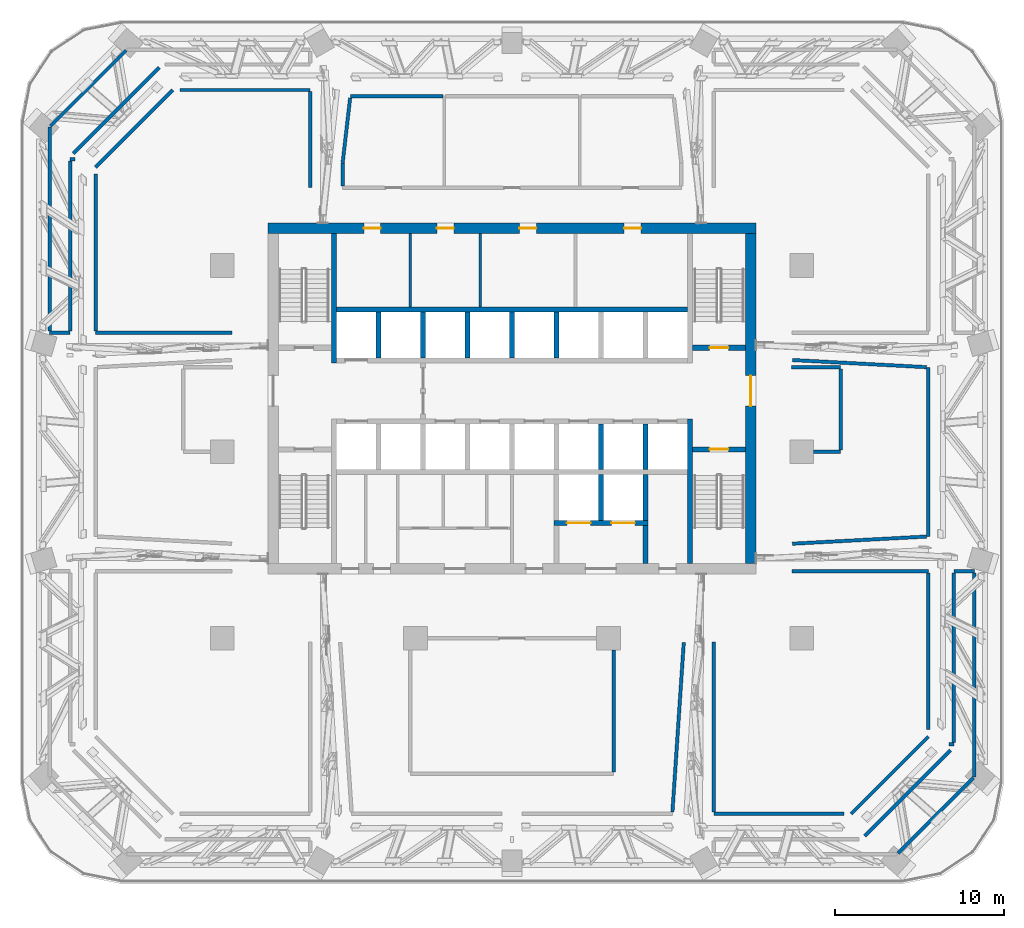
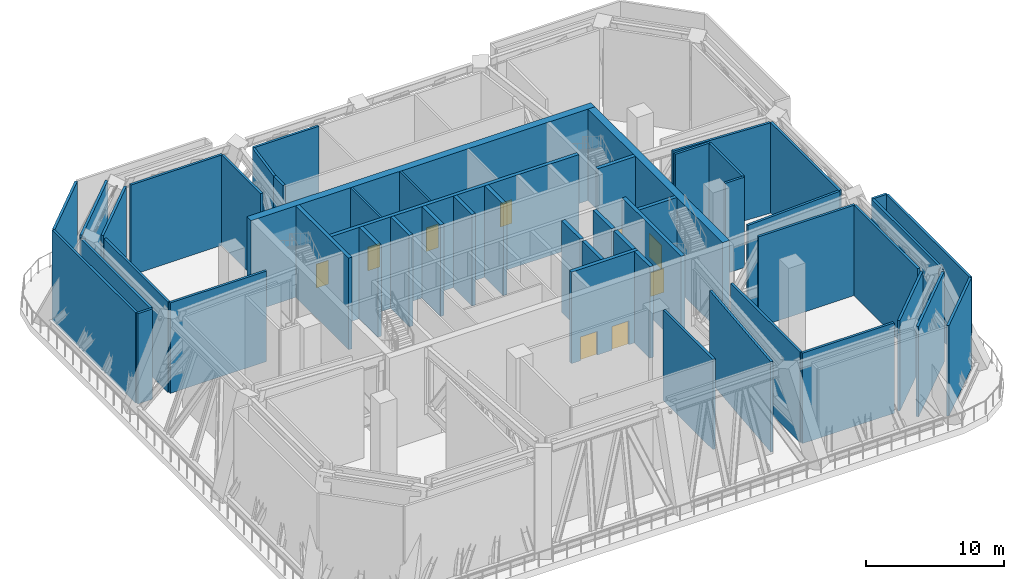
# One storey, part 7 of 24: 53 walls, 9 doors, 9 openings.
"""IFC4 building model written with IfcOpenShell, lengths in metres."""

from ifc_helpers import new_model, si_unit, direction, frame, frame_2d, origin, place, context, subcontext, project, spatial, rectangle, extrude, material, layer, layer_set, type_object, element, fill, save


model = new_model("IFC4")

# Units and contexts
model_context = context("Model", 3, precision=1e-05, world=origin(), true_north=direction((0.0, 1.0)))
body_context = subcontext(model_context, "Body", "Model", "MODEL_VIEW")
ifc_project = project(units=[si_unit("LENGTHUNIT", "METRE"), si_unit("AREAUNIT", "SQUARE_METRE"), si_unit("VOLUMEUNIT", "CUBIC_METRE"), si_unit("PLANEANGLEUNIT", "RADIAN"), si_unit("MASSUNIT", "GRAM", prefix="KILO")], contexts=[model_context])

# Site, building, storey
site_placement = place(None, origin())
site = spatial("IfcSite", under=ifc_project, at=site_placement, CompositionType="ELEMENT")
building_placement = place(site_placement, origin())
building = spatial("IfcBuilding", under=site, at=building_placement, Name="Mopane Tessera Tower", CompositionType="ELEMENT")
storey_placement = place(building_placement, frame((0.0, 0.0, 148.60009765625)))
storey = spatial("IfcBuildingStorey", under=building, at=storey_placement, Name="L30", CompositionType="ELEMENT", Elevation=148.60009765625)

# Walls
ifc_material_1 = material(Name="Fire-rated gypsum board partition")
ifc_layer_1 = layer(ifc_material_1, 0.14990234375)
ifc_layer_set_1 = layer_set([ifc_layer_1], Name="Fire-rated gypsum board partition")
wall_type_1 = type_object("IfcWallType", Name="Core room partition 150 mm", PredefinedType="PARTITIONING", material=ifc_layer_set_1)
for number, where, z_axis, x_axis, name in (
    (1, (-6.0, 8.550048828125, 0.0), (0.0, 0.0, 1.0), (0.0, 1.0, 0.0), "L30 Room partition"),
    (2, (-1.875, 8.550048828125, 0.0), (0.0, 0.0, 1.0), (0.0, 1.0, 0.0), "L30 Room partition"),
):
    element("IfcWall", number, at=place(storey_placement, frame(where, z_axis=z_axis, x_axis=x_axis)), inside=storey, type_object=wall_type_1, Name=name, PredefinedType="PARTITIONING", context=body_context, shape_type="SweptSolid", body=[
        extrude(rectangle(XDim=4.349853515625, YDim=0.14990234375, at=frame_2d((2.1748046875, 0.0))), origin(), (0.0, 0.0, 1.0), 8.099853515625),
    ])

# Wall, openings, doors
ifc_material_2 = material(Name="Concrete C70/85", Category="concrete")
ifc_layer_2 = layer(ifc_material_2, 0.60009765625)
ifc_layer_set_2 = layer_set([ifc_layer_2], Name="Concrete C70/85")
wall_type_2 = type_object("IfcWallType", Name="Core shear wall 600 mm", PredefinedType="SHEAR", material=ifc_layer_set_2)
wall_1_placement = place(storey_placement, frame((-14.39990234375, 13.199951171875, 0.0), z_axis=(0.0, 0.0, 1.0), x_axis=(1.0, 0.0, 0.0)))
wall_1 = element("IfcWall", 3, at=wall_1_placement, inside=storey, type_object=wall_type_2, Name="L30 Core wall north", PredefinedType="SHEAR", context=body_context, shape_type="SweptSolid", body=[
    extrude(rectangle(XDim=28.7998046875, YDim=0.60009765625, at=frame_2d((14.39990234375, 0.0))), origin(), (0.0, 0.0, 1.0), 8.099853515625),
])
opening_1_placement = place(wall_1_placement, frame((5.64990234375, 0.0, 0.0)))
opening_1 = element("IfcOpeningElement", 4, at=opening_1_placement, cuts=wall_1, Name="Opening RD1", PredefinedType="OPENING", context=body_context, shape_type="SweptSolid", body=[
    extrude(rectangle(XDim=1.0, YDim=2.10009765625, at=frame_2d((0.5, 1.050048828125))), frame((0.0, 0.31201171875, 0.0), z_axis=(0.0, -1.0, 0.0), x_axis=(1.0, 0.0, 0.0)), (0.0, 0.0, 1.0), 0.6240234375),
])
opening_2_placement = place(wall_1_placement, frame((9.96240234375, 0.0, 0.0)))
opening_2 = element("IfcOpeningElement", 5, at=opening_2_placement, cuts=wall_1, Name="Opening RD1", PredefinedType="OPENING", context=body_context, shape_type="SweptSolid", body=[
    extrude(rectangle(XDim=1.0, YDim=2.10009765625, at=frame_2d((0.5, 1.050048828125))), frame((0.0, 0.31201171875, 0.0), z_axis=(0.0, -1.0, 0.0), x_axis=(1.0, 0.0, 0.0)), (0.0, 0.0, 1.0), 0.6240234375),
])
opening_3_placement = place(wall_1_placement, frame((14.83740234375, 0.0, 0.0)))
opening_3 = element("IfcOpeningElement", 6, at=opening_3_placement, cuts=wall_1, Name="Opening RD1", PredefinedType="OPENING", context=body_context, shape_type="SweptSolid", body=[
    extrude(rectangle(XDim=1.0, YDim=2.10009765625, at=frame_2d((0.5, 1.050048828125))), frame((0.0, 0.31201171875, 0.0), z_axis=(0.0, -1.0, 0.0), x_axis=(1.0, 0.0, 0.0)), (0.0, 0.0, 1.0), 0.6240234375),
])
opening_4_placement = place(wall_1_placement, frame((21.02490234375, 0.0, 0.0)))
opening_4 = element("IfcOpeningElement", 7, at=opening_4_placement, cuts=wall_1, Name="Opening RD1", PredefinedType="OPENING", context=body_context, shape_type="SweptSolid", body=[
    extrude(rectangle(XDim=1.0, YDim=2.10009765625, at=frame_2d((0.5, 1.050048828125))), frame((0.0, 0.31201171875, 0.0), z_axis=(0.0, -1.0, 0.0), x_axis=(1.0, 0.0, 0.0)), (0.0, 0.0, 1.0), 0.6240234375),
])
ifc_material_3 = material(Name="Timber door", Category="wood")
door_type_1 = type_object("IfcDoorType", Name="Core room door 1000 x 2100", OperationType="SINGLE_SWING_LEFT", PredefinedType="DOOR", material=ifc_material_3)
door_1_placement = place(opening_1_placement, origin())
door_1 = element("IfcDoor", 8, at=door_1_placement, inside=storey, type_object=door_type_1, Name="L30 Room door", OperationType="SINGLE_SWING_LEFT", OverallHeight=2.10009765625, OverallWidth=1.0, PredefinedType="DOOR", context=body_context, shape_type="SweptSolid", body=[
    extrude(rectangle(XDim=1.0, YDim=2.10009765625, at=frame_2d((0.5, 1.050048828125))), frame((0.0, 0.02490234375, 0.0), z_axis=(0.0, -1.0, 0.0), x_axis=(1.0, 0.0, 0.0)), (0.0, 0.0, 1.0), 0.050048828125),
])
fill(opening_1, door_1)
door_2_placement = place(opening_2_placement, origin())
door_2 = element("IfcDoor", 9, at=door_2_placement, inside=storey, type_object=door_type_1, Name="L30 Room door", OperationType="SINGLE_SWING_LEFT", OverallHeight=2.10009765625, OverallWidth=1.0, PredefinedType="DOOR", context=body_context, shape_type="SweptSolid", body=[
    extrude(rectangle(XDim=1.0, YDim=2.10009765625, at=frame_2d((0.5, 1.050048828125))), frame((0.0, 0.02490234375, 0.0), z_axis=(0.0, -1.0, 0.0), x_axis=(1.0, 0.0, 0.0)), (0.0, 0.0, 1.0), 0.050048828125),
])
fill(opening_2, door_2)
door_3_placement = place(opening_3_placement, origin())
door_3 = element("IfcDoor", 10, at=door_3_placement, inside=storey, type_object=door_type_1, Name="L30 Room door", OperationType="SINGLE_SWING_LEFT", OverallHeight=2.10009765625, OverallWidth=1.0, PredefinedType="DOOR", context=body_context, shape_type="SweptSolid", body=[
    extrude(rectangle(XDim=1.0, YDim=2.10009765625, at=frame_2d((0.5, 1.050048828125))), frame((0.0, 0.02490234375, 0.0), z_axis=(0.0, -1.0, 0.0), x_axis=(1.0, 0.0, 0.0)), (0.0, 0.0, 1.0), 0.050048828125),
])
fill(opening_3, door_3)
door_4_placement = place(opening_4_placement, origin())
door_4 = element("IfcDoor", 11, at=door_4_placement, inside=storey, type_object=door_type_1, Name="L30 Room door", OperationType="SINGLE_SWING_LEFT", OverallHeight=2.10009765625, OverallWidth=1.0, PredefinedType="DOOR", context=body_context, shape_type="SweptSolid", body=[
    extrude(rectangle(XDim=1.0, YDim=2.10009765625, at=frame_2d((0.5, 1.050048828125))), frame((0.0, 0.02490234375, 0.0), z_axis=(0.0, -1.0, 0.0), x_axis=(1.0, 0.0, 0.0)), (0.0, 0.0, 1.0), 0.050048828125),
])
fill(opening_4, door_4)

# Wall, opening, door
wall_2_placement = place(storey_placement, frame((14.10009765625, -6.60009765625, 0.0), z_axis=(0.0, 0.0, 1.0), x_axis=(0.0, 1.0, 0.0)))
wall_2 = element("IfcWall", 12, at=wall_2_placement, inside=storey, type_object=wall_type_2, Name="L30 Core wall east", PredefinedType="SHEAR", context=body_context, shape_type="SweptSolid", body=[
    extrude(rectangle(XDim=19.5, YDim=0.60009765625, at=frame_2d((9.75, 0.0))), origin(), (0.0, 0.0, 1.0), 8.099853515625),
])
opening_5_placement = place(wall_2_placement, frame((9.300048828125, 0.0, 0.0)))
opening_5 = element("IfcOpeningElement", 13, at=opening_5_placement, cuts=wall_2, Name="Opening SD2", PredefinedType="OPENING", context=body_context, shape_type="SweptSolid", body=[
    extrude(rectangle(XDim=1.800048828125, YDim=2.10009765625, at=frame_2d((0.89990234375, 1.050048828125))), frame((0.0, 0.31201171875, 0.0), z_axis=(0.0, -1.0, 0.0), x_axis=(1.0, 0.0, 0.0)), (0.0, 0.0, 1.0), 0.6240234375),
])
ifc_material_4 = material(Name="Steel fire door", Category="steel")
door_type_2 = type_object("IfcDoorType", Name="Core entrance double door 1800 x 2100", OperationType="DOUBLE_DOOR_SINGLE_SWING", PredefinedType="DOOR", material=ifc_material_4)
door_5_placement = place(opening_5_placement, origin())
door_5 = element("IfcDoor", 14, at=door_5_placement, inside=storey, type_object=door_type_2, Name="L30 Core entrance door east", OperationType="DOUBLE_DOOR_SINGLE_SWING", OverallHeight=2.10009765625, OverallWidth=1.800048828125, PredefinedType="DOOR", context=body_context, shape_type="SweptSolid", body=[
    extrude(rectangle(XDim=1.800048828125, YDim=2.10009765625, at=frame_2d((0.89990234375, 1.050048828125))), frame((0.0, 0.02490234375, 0.0), z_axis=(0.0, -1.0, 0.0), x_axis=(1.0, 0.0, 0.0)), (0.0, 0.0, 1.0), 0.050048828125),
])
fill(opening_5, door_5)

# Walls
ifc_material_5 = material(Name="Concrete C60/75", Category="concrete")
ifc_layer_3 = layer(ifc_material_5, 0.300048828125)
ifc_layer_set_3 = layer_set([ifc_layer_3], Name="Concrete C60/75")
wall_type_3 = type_object("IfcWallType", Name="Core spine wall 300 mm", PredefinedType="SHEAR", material=ifc_layer_set_3)
wall_3_placement = place(storey_placement, frame((-10.5, 5.25, 0.0), z_axis=(0.0, 0.0, 1.0), x_axis=(0.0, 1.0, 0.0)))
element("IfcWall", 15, at=wall_3_placement, inside=storey, type_object=wall_type_3, Name="L30 Core spine wall", PredefinedType="SHEAR", context=body_context, shape_type="SweptSolid", body=[
    extrude(rectangle(XDim=7.64990234375, YDim=0.300048828125, at=frame_2d((3.824951171875, 0.0))), origin(), (0.0, 0.0, 1.0), 8.099853515625),
])
wall_4_placement = place(storey_placement, frame((10.5, -6.60009765625, 0.0), z_axis=(0.0, 0.0, 1.0), x_axis=(0.0, 1.0, 0.0)))
element("IfcWall", 16, at=wall_4_placement, inside=storey, type_object=wall_type_3, Name="L30 Core spine wall", PredefinedType="SHEAR", context=body_context, shape_type="SweptSolid", body=[
    extrude(rectangle(XDim=8.550048828125, YDim=0.300048828125, at=frame_2d((4.27490234375, 0.0))), origin(), (0.0, 0.0, 1.0), 8.099853515625),
])
ifc_material_6 = material(Name="Gypsum board on steel studs, two layers each face, mineral wool infill", Category="steel")
ifc_layer_4 = layer(ifc_material_6, 0.199951171875)
ifc_layer_set_4 = layer_set([ifc_layer_4], Name="Gypsum board on steel studs, two layers each face, mineral wool infill")
wall_type_4 = type_object("IfcWallType", Name="Gypsum board corridor wall 200, rated EI 60", PredefinedType="PARTITIONING", material=ifc_layer_set_4)
wall_5_placement = place(storey_placement, frame((11.919921875, -21.3701171875, 0.0), z_axis=(0.0, 0.0, 1.0), x_axis=(1.0, 0.0, 0.0)))
element("IfcWall", 17, at=wall_5_placement, inside=storey, type_object=wall_type_4, Name="Partition L30:007", PredefinedType="PARTITIONING", context=body_context, shape_type="SweptSolid", body=[
    extrude(rectangle(XDim=7.68017578125, YDim=0.199951171875, at=frame_2d((3.840087890625, 0.0))), origin(), (0.0, 0.0, 1.0), 8.0),
])
wall_6_placement = place(storey_placement, frame((25.800048828125, -17.27001953125, 0.0), z_axis=(0.0, 0.0, 1.0), x_axis=(1.0, 0.0, 0.0)))
element("IfcWall", 18, at=wall_6_placement, inside=storey, type_object=wall_type_4, Name="Partition L30:010", PredefinedType="PARTITIONING", context=body_context, shape_type="SweptSolid", body=[
    extrude(rectangle(XDim=0.284912109375, YDim=0.199951171875, at=frame_2d((0.142578125, 0.0))), origin(), (0.0, 0.0, 1.0), 8.0),
])
wall_7_placement = place(storey_placement, frame((16.52001953125, -7.0400390625, 0.0), z_axis=(0.0, 0.0, 1.0), x_axis=(1.0, 0.0, 0.0)))
element("IfcWall", 19, at=wall_7_placement, inside=storey, type_object=wall_type_4, Name="Partition L30:014", PredefinedType="PARTITIONING", context=body_context, shape_type="SweptSolid", body=[
    extrude(rectangle(XDim=8.06494140625, YDim=0.199951171875, at=frame_2d((4.032470703125, 0.0))), origin(), (0.0, 0.0, 1.0), 8.0),
])
wall_8_placement = place(storey_placement, frame((26.0849609375, -7.0400390625, 0.0), z_axis=(0.0, 0.0, 1.0), x_axis=(1.0, 0.0, 0.0)))
element("IfcWall", 20, at=wall_8_placement, inside=storey, type_object=wall_type_4, Name="Partition L30:015", PredefinedType="PARTITIONING", context=body_context, shape_type="SweptSolid", body=[
    extrude(rectangle(XDim=1.215087890625, YDim=0.199951171875, at=frame_2d((0.607421875, 0.0))), origin(), (0.0, 0.0, 1.0), 8.0),
])
wall_9_placement = place(storey_placement, frame((17.800048828125, 0.0, 0.0), z_axis=(0.0, 0.0, 1.0), x_axis=(1.0, 0.0, 0.0)))
element("IfcWall", 21, at=wall_9_placement, inside=storey, type_object=wall_type_4, Name="Partition L30:017", PredefinedType="PARTITIONING", context=body_context, shape_type="SweptSolid", body=[
    extrude(rectangle(XDim=1.599853515625, YDim=0.199951171875, at=frame_2d((0.7998046875, 0.0))), origin(), (0.0, 0.0, 1.0), 8.0),
])
wall_10_placement = place(storey_placement, frame((16.510009765625, 5.0, 0.0), z_axis=(0.0, 0.0, 1.0), x_axis=(1.0, 0.0, 0.0)))
element("IfcWall", 22, at=wall_10_placement, inside=storey, type_object=wall_type_4, Name="Partition L30:019", PredefinedType="PARTITIONING", context=body_context, shape_type="SweptSolid", body=[
    extrude(rectangle(XDim=2.889892578125, YDim=0.199951171875, at=frame_2d((1.44482421875, 0.0))), origin(), (0.0, 0.0, 1.0), 8.0),
])
wall_11_placement = place(storey_placement, frame((-27.300048828125, 7.0400390625, 0.0), z_axis=(0.0, 0.0, 1.0), x_axis=(1.0, 0.0, 0.0)))
element("IfcWall", 23, at=wall_11_placement, inside=storey, type_object=wall_type_4, Name="Partition L30:020", PredefinedType="PARTITIONING", context=body_context, shape_type="SweptSolid", body=[
    extrude(rectangle(XDim=1.215087890625, YDim=0.199951171875, at=frame_2d((0.607421875, 0.0))), origin(), (0.0, 0.0, 1.0), 8.0),
])
wall_12_placement = place(storey_placement, frame((-24.5849609375, 7.0400390625, 0.0), z_axis=(0.0, 0.0, 1.0), x_axis=(1.0, 0.0, 0.0)))
element("IfcWall", 24, at=wall_12_placement, inside=storey, type_object=wall_type_4, Name="Partition L30:021", PredefinedType="PARTITIONING", context=body_context, shape_type="SweptSolid", body=[
    extrude(rectangle(XDim=8.06494140625, YDim=0.199951171875, at=frame_2d((4.032470703125, 0.0))), origin(), (0.0, 0.0, 1.0), 8.0),
])
wall_13_placement = place(storey_placement, frame((-26.0849609375, 17.27001953125, 0.0), z_axis=(0.0, 0.0, 1.0), x_axis=(1.0, 0.0, 0.0)))
element("IfcWall", 25, at=wall_13_placement, inside=storey, type_object=wall_type_4, Name="Partition L30:025", PredefinedType="PARTITIONING", context=body_context, shape_type="SweptSolid", body=[
    extrude(rectangle(XDim=0.284912109375, YDim=0.199951171875, at=frame_2d((0.142578125, 0.0))), origin(), (0.0, 0.0, 1.0), 8.0),
])
wall_14_placement = place(storey_placement, frame((-9.544921875, 21.0, 0.0), z_axis=(0.0, 0.0, 1.0), x_axis=(1.0, 0.0, 0.0)))
element("IfcWall", 26, at=wall_14_placement, inside=storey, type_object=wall_type_4, Name="Partition L30:027", PredefinedType="PARTITIONING", context=body_context, shape_type="SweptSolid", body=[
    extrude(rectangle(XDim=5.469970703125, YDim=0.199951171875, at=frame_2d((2.73486328125, 0.0))), origin(), (0.0, 0.0, 1.0), 8.0),
])
wall_15_placement = place(storey_placement, frame((-19.60009765625, 21.3701171875, 0.0), z_axis=(0.0, 0.0, 1.0), x_axis=(1.0, 0.0, 0.0)))
element("IfcWall", 27, at=wall_15_placement, inside=storey, type_object=wall_type_4, Name="Partition L30:030", PredefinedType="PARTITIONING", context=body_context, shape_type="SweptSolid", body=[
    extrude(rectangle(XDim=7.68017578125, YDim=0.199951171875, at=frame_2d((3.840087890625, 0.0))), origin(), (0.0, 0.0, 1.0), 8.0),
])
wall_16_placement = place(storey_placement, frame((-27.300048828125, 7.139892578125, 0.0), z_axis=(0.0, 0.0, 1.0), x_axis=(0.0, 1.0, 0.0)))
element("IfcWall", 28, at=wall_16_placement, inside=storey, type_object=wall_type_4, Name="Partition L30:037", PredefinedType="PARTITIONING", context=body_context, shape_type="SweptSolid", body=[
    extrude(rectangle(XDim=12.050048828125, YDim=0.199951171875, at=frame_2d((6.02490234375, 0.0))), origin(), (0.0, 0.0, 1.0), 8.0),
])
wall_17_placement = place(storey_placement, frame((-26.0849609375, 7.139892578125, 0.0), z_axis=(0.0, 0.0, 1.0), x_axis=(0.0, 1.0, 0.0)))
element("IfcWall", 29, at=wall_17_placement, inside=storey, type_object=wall_type_4, Name="Partition L30:039", PredefinedType="PARTITIONING", context=body_context, shape_type="SweptSolid", body=[
    extrude(rectangle(XDim=10.030029296875, YDim=0.199951171875, at=frame_2d((5.01513671875, 0.0))), origin(), (0.0, 0.0, 1.0), 8.0),
])
wall_18_placement = place(storey_placement, frame((-24.5849609375, 7.139892578125, 0.0), z_axis=(0.0, 0.0, 1.0), x_axis=(0.0, 1.0, 0.0)))
element("IfcWall", 30, at=wall_18_placement, inside=storey, type_object=wall_type_4, Name="Partition L30:042", PredefinedType="PARTITIONING", context=body_context, shape_type="SweptSolid", body=[
    extrude(rectangle(XDim=9.260009765625, YDim=0.199951171875, at=frame_2d((4.6298828125, 0.0))), origin(), (0.0, 0.0, 1.0), 8.0),
])
wall_19_placement = place(storey_placement, frame((-11.919921875, 15.6201171875, 0.0), z_axis=(0.0, 0.0, 1.0), x_axis=(0.0, 1.0, 0.0)))
element("IfcWall", 31, at=wall_19_placement, inside=storey, type_object=wall_type_4, Name="Partition L30:046", PredefinedType="PARTITIONING", context=body_context, shape_type="SweptSolid", body=[
    extrude(rectangle(XDim=5.64990234375, YDim=0.199951171875, at=frame_2d((2.824951171875, 0.0))), origin(), (0.0, 0.0, 1.0), 8.0),
])
wall_20_placement = place(storey_placement, frame((-10.0, 15.699951171875, 0.0), z_axis=(0.0, 0.0, 1.0), x_axis=(0.0, 1.0, 0.0)))
element("IfcWall", 32, at=wall_20_placement, inside=storey, type_object=wall_type_4, Name="Partition L30:048", PredefinedType="PARTITIONING", context=body_context, shape_type="SweptSolid", body=[
    extrude(rectangle(XDim=1.364990234375, YDim=0.199951171875, at=frame_2d((0.6826171875, 0.0))), origin(), (0.0, 0.0, 1.0), 8.0),
])
wall_21_placement = place(storey_placement, frame((6.0, -18.89990234375, 0.0), z_axis=(0.0, 0.0, 1.0), x_axis=(0.0, 1.0, 0.0)))
element("IfcWall", 33, at=wall_21_placement, inside=storey, type_object=wall_type_4, Name="Partition L30:052", PredefinedType="PARTITIONING", context=body_context, shape_type="SweptSolid", body=[
    extrude(rectangle(XDim=7.199951171875, YDim=0.199951171875, at=frame_2d((3.60009765625, 0.0))), origin(), (0.0, 0.0, 1.0), 8.0),
])
wall_22_placement = place(storey_placement, frame((11.919921875, -21.27001953125, 0.0), z_axis=(0.0, 0.0, 1.0), x_axis=(0.0, 1.0, 0.0)))
element("IfcWall", 34, at=wall_22_placement, inside=storey, type_object=wall_type_4, Name="Partition L30:055", PredefinedType="PARTITIONING", context=body_context, shape_type="SweptSolid", body=[
    extrude(rectangle(XDim=10.050048828125, YDim=0.199951171875, at=frame_2d((5.02490234375, 0.0))), origin(), (0.0, 0.0, 1.0), 8.0),
])
wall_23_placement = place(storey_placement, frame((19.39990234375, 0.10009765625, 0.0), z_axis=(0.0, 0.0, 1.0), x_axis=(0.0, 1.0, 0.0)))
element("IfcWall", 35, at=wall_23_placement, inside=storey, type_object=wall_type_4, Name="Partition L30:058", PredefinedType="PARTITIONING", context=body_context, shape_type="SweptSolid", body=[
    extrude(rectangle(XDim=4.7998046875, YDim=0.199951171875, at=frame_2d((2.39990234375, 0.0))), origin(), (0.0, 0.0, 1.0), 8.0),
])
wall_24_placement = place(storey_placement, frame((24.5849609375, -16.39990234375, 0.0), z_axis=(0.0, 0.0, 1.0), x_axis=(0.0, 1.0, 0.0)))
element("IfcWall", 36, at=wall_24_placement, inside=storey, type_object=wall_type_4, Name="Partition L30:059", PredefinedType="PARTITIONING", context=body_context, shape_type="SweptSolid", body=[
    extrude(rectangle(XDim=9.260009765625, YDim=0.199951171875, at=frame_2d((4.6298828125, 0.0))), origin(), (0.0, 0.0, 1.0), 8.0),
])
wall_25_placement = place(storey_placement, frame((24.5849609375, -4.9951171875, 0.0), z_axis=(0.0, 0.0, 1.0), x_axis=(0.0, 1.0, 0.0)))
element("IfcWall", 37, at=wall_25_placement, inside=storey, type_object=wall_type_4, Name="Partition L30:060", PredefinedType="PARTITIONING", context=body_context, shape_type="SweptSolid", body=[
    extrude(rectangle(XDim=9.990234375, YDim=0.199951171875, at=frame_2d((4.9951171875, 0.0))), origin(), (0.0, 0.0, 1.0), 8.0),
])
wall_26_placement = place(storey_placement, frame((26.0849609375, -17.169921875, 0.0), z_axis=(0.0, 0.0, 1.0), x_axis=(0.0, 1.0, 0.0)))
element("IfcWall", 38, at=wall_26_placement, inside=storey, type_object=wall_type_4, Name="Partition L30:062", PredefinedType="PARTITIONING", context=body_context, shape_type="SweptSolid", body=[
    extrude(rectangle(XDim=10.030029296875, YDim=0.199951171875, at=frame_2d((5.01513671875, 0.0))), origin(), (0.0, 0.0, 1.0), 8.0),
])
wall_27_placement = place(storey_placement, frame((27.300048828125, -19.18994140625, 0.0), z_axis=(0.0, 0.0, 1.0), x_axis=(0.0, 1.0, 0.0)))
element("IfcWall", 39, at=wall_27_placement, inside=storey, type_object=wall_type_4, Name="Partition L30:064", PredefinedType="PARTITIONING", context=body_context, shape_type="SweptSolid", body=[
    extrude(rectangle(XDim=12.050048828125, YDim=0.199951171875, at=frame_2d((6.02490234375, 0.0))), origin(), (0.0, 0.0, 1.0), 8.0),
])
wall_28_placement = place(storey_placement, frame((-20.8310546875, 22.68408203125, 0.0), z_axis=(0.0, 0.0, 1.0), x_axis=(-0.707089749241, -0.707123812722, 0.0)))
element("IfcWall", 40, at=wall_28_placement, inside=storey, type_object=wall_type_4, Name="Partition L30:071", PredefinedType="PARTITIONING", context=body_context, shape_type="SweptSolid", body=[
    extrude(rectangle(XDim=7.167236328125, YDim=0.199951171875, at=frame_2d((3.58349609375, 0.0))), origin(), (0.0, 0.0, 1.0), 8.0),
])
wall_29_placement = place(storey_placement, frame((-27.2509765625, 19.239013671875, 0.0), z_axis=(0.0, 0.0, 1.0), x_axis=(0.707106781187, 0.707106781187, 0.0)))
element("IfcWall", 41, at=wall_29_placement, inside=storey, type_object=wall_type_4, Name="Partition L30:073", PredefinedType="PARTITIONING", context=body_context, shape_type="SweptSolid", body=[
    extrude(rectangle(XDim=6.31005859375, YDim=0.199951171875, at=frame_2d((3.155029296875, 0.0))), origin(), (0.0, 0.0, 1.0), 8.0),
])
wall_30_placement = place(storey_placement, frame((20.8310546875, -22.68408203125, 0.0), z_axis=(0.0, 0.0, 1.0), x_axis=(0.707089749241, 0.707123812722, 0.0)))
element("IfcWall", 42, at=wall_30_placement, inside=storey, type_object=wall_type_4, Name="Partition L30:075", PredefinedType="PARTITIONING", context=body_context, shape_type="SweptSolid", body=[
    extrude(rectangle(XDim=7.167236328125, YDim=0.199951171875, at=frame_2d((3.58349609375, 0.0))), origin(), (0.0, 0.0, 1.0), 8.0),
])
wall_31_placement = place(storey_placement, frame((27.2509765625, -19.239013671875, 0.0), z_axis=(0.0, 0.0, 1.0), x_axis=(-0.707106781187, -0.707106781187, 0.0)))
element("IfcWall", 43, at=wall_31_placement, inside=storey, type_object=wall_type_4, Name="Partition L30:077", PredefinedType="PARTITIONING", context=body_context, shape_type="SweptSolid", body=[
    extrude(rectangle(XDim=6.31005859375, YDim=0.199951171875, at=frame_2d((3.155029296875, 0.0))), origin(), (0.0, 0.0, 1.0), 8.0),
])
wall_32_placement = place(storey_placement, frame((-24.5849609375, 16.81005859375, 0.0), z_axis=(0.0, 0.0, 1.0), x_axis=(0.707106781187, 0.707106781187, 0.0)))
element("IfcWall", 44, at=wall_32_placement, inside=storey, type_object=wall_type_4, Name="Partition L30:084", PredefinedType="PARTITIONING", context=body_context, shape_type="SweptSolid", body=[
    extrude(rectangle(XDim=6.448974609375, YDim=0.199951171875, at=frame_2d((3.224609375, 0.0))), origin(), (0.0, 0.0, 1.0), 8.0),
])
wall_33_placement = place(storey_placement, frame((10.14306640625, -11.25, 0.0), z_axis=(0.0, 0.0, 1.0), x_axis=(-0.066830422332, -0.997764348256, 0.0)))
element("IfcWall", 45, at=wall_33_placement, inside=storey, type_object=wall_type_4, Name="Partition L30:086", PredefinedType="PARTITIONING", context=body_context, shape_type="SweptSolid", body=[
    extrude(rectangle(XDim=10.04248046875, YDim=0.199951171875, at=frame_2d((5.021240234375, 0.0))), origin(), (0.0, 0.0, 1.0), 8.0),
])
wall_34_placement = place(storey_placement, frame((24.5849609375, -16.81005859375, 0.0), z_axis=(0.0, 0.0, 1.0), x_axis=(-0.707106781187, -0.707106781187, 0.0)))
element("IfcWall", 46, at=wall_34_placement, inside=storey, type_object=wall_type_4, Name="Partition L30:088", PredefinedType="PARTITIONING", context=body_context, shape_type="SweptSolid", body=[
    extrude(rectangle(XDim=6.448974609375, YDim=0.199951171875, at=frame_2d((3.224609375, 0.0))), origin(), (0.0, 0.0, 1.0), 8.0),
])
for number, where, z_axis, x_axis, name in (
    (47, (16.550048828125, 5.423095703125, 0.0), (0.0, 0.0, 1.0), (0.998581523525, -0.053244162829, 0.0), "Partition L30:090"),
    (48, (24.485107421875, -5.0, 0.0), (0.0, 0.0, 1.0), (-0.998581523525, -0.053244162829, 0.0), "Partition L30:091"),
):
    element("IfcWall", number, at=place(storey_placement, frame(where, z_axis=z_axis, x_axis=x_axis)), inside=storey, type_object=wall_type_4, Name=name, PredefinedType="PARTITIONING", context=body_context, shape_type="SweptSolid", body=[
        extrude(rectangle(XDim=7.9462890625, YDim=0.199951171875, at=frame_2d((3.97314453125, 0.0))), origin(), (0.0, 0.0, 1.0), 8.0),
    ])
wall_35_placement = place(storey_placement, frame((-9.9990234375, 17.074951171875, 0.0), z_axis=(0.0, 0.0, 1.0), x_axis=(0.115049956494, 0.99335970701, 0.0)))
element("IfcWall", 49, at=wall_35_placement, inside=storey, type_object=wall_type_4, Name="Partition L30:092", PredefinedType="PARTITIONING", context=body_context, shape_type="SweptSolid", body=[
    extrude(rectangle(XDim=3.8515625, YDim=0.199951171875, at=frame_2d((1.92578125, 0.0))), origin(), (0.0, 0.0, 1.0), 8.0),
])

# Wall, opening, door
ifc_material_7 = material(Name="Concrete C50/60", Category="concrete")
ifc_layer_5 = layer(ifc_material_7, 0.300048828125)
ifc_layer_set_5 = layer_set([ifc_layer_5], Name="Concrete C50/60")
wall_type_5 = type_object("IfcWallType", Name="Lift and stair shaft wall 300 mm", PredefinedType="SOLIDWALL", material=ifc_layer_set_5)
wall_36_placement = place(storey_placement, frame((10.64990234375, 0.14990234375, 0.0), z_axis=(0.0, 0.0, 1.0), x_axis=(1.0, 0.0, 0.0)))
wall_36 = element("IfcWall", 50, at=wall_36_placement, inside=storey, type_object=wall_type_5, Name="L30 Stair enclosure wall", PredefinedType="SOLIDWALL", context=body_context, shape_type="SweptSolid", body=[
    extrude(rectangle(XDim=3.150146484375, YDim=0.300048828125, at=frame_2d((1.5751953125, 0.0))), origin(), (0.0, 0.0, 1.0), 8.099853515625),
])
opening_6_placement = place(wall_36_placement, frame((1.02490234375, 0.0, 0.0)))
opening_6 = element("IfcOpeningElement", 51, at=opening_6_placement, cuts=wall_36, Name="Opening SD1", PredefinedType="OPENING", context=body_context, shape_type="SweptSolid", body=[
    extrude(rectangle(XDim=1.10009765625, YDim=2.10009765625, at=frame_2d((0.550048828125, 1.050048828125))), frame((0.0, 0.162109375, 0.0), z_axis=(0.0, -1.0, 0.0), x_axis=(1.0, 0.0, 0.0)), (0.0, 0.0, 1.0), 0.323974609375),
])
ifc_material_8 = material(Name="Steel fire door", Category="steel")
door_type_3 = type_object("IfcDoorType", Name="Stair fire door 1100 x 2100", OperationType="SINGLE_SWING_LEFT", PredefinedType="DOOR", material=ifc_material_8)
door_6_placement = place(opening_6_placement, origin())
door_6 = element("IfcDoor", 52, at=door_6_placement, inside=storey, type_object=door_type_3, Name="L30 Stair door ST3", OperationType="SINGLE_SWING_RIGHT", OverallHeight=2.10009765625, OverallWidth=1.10009765625, PredefinedType="DOOR", context=body_context, shape_type="SweptSolid", body=[
    extrude(rectangle(XDim=1.10009765625, YDim=2.10009765625, at=frame_2d((0.550048828125, 1.050048828125))), frame((0.0, 0.02490234375, 0.0), z_axis=(0.0, -1.0, 0.0), x_axis=(1.0, 0.0, 0.0)), (0.0, 0.0, 1.0), 0.050048828125),
])
fill(opening_6, door_6)

wall_37_placement = place(storey_placement, frame((10.64990234375, 6.14990234375, 0.0), z_axis=(0.0, 0.0, 1.0), x_axis=(1.0, 0.0, 0.0)))
wall_37 = element("IfcWall", 53, at=wall_37_placement, inside=storey, type_object=wall_type_5, Name="L30 Stair enclosure wall", PredefinedType="SOLIDWALL", context=body_context, shape_type="SweptSolid", body=[
    extrude(rectangle(XDim=3.150146484375, YDim=0.300048828125, at=frame_2d((1.5751953125, 0.0))), origin(), (0.0, 0.0, 1.0), 8.099853515625),
])
opening_7_placement = place(wall_37_placement, frame((1.02490234375, 0.0, 0.0)))
opening_7 = element("IfcOpeningElement", 54, at=opening_7_placement, cuts=wall_37, Name="Opening SD1", PredefinedType="OPENING", context=body_context, shape_type="SweptSolid", body=[
    extrude(rectangle(XDim=1.10009765625, YDim=2.10009765625, at=frame_2d((0.550048828125, 1.050048828125))), frame((0.0, 0.162109375, 0.0), z_axis=(0.0, -1.0, 0.0), x_axis=(1.0, 0.0, 0.0)), (0.0, 0.0, 1.0), 0.323974609375),
])
door_7_placement = place(opening_7_placement, origin())
door_7 = element("IfcDoor", 55, at=door_7_placement, inside=storey, type_object=door_type_3, Name="L30 Stair door ST4", OperationType="SINGLE_SWING_RIGHT", OverallHeight=2.10009765625, OverallWidth=1.10009765625, PredefinedType="DOOR", context=body_context, shape_type="SweptSolid", body=[
    extrude(rectangle(XDim=1.10009765625, YDim=2.10009765625, at=frame_2d((0.550048828125, 1.050048828125))), frame((0.0, 0.02490234375, 0.0), z_axis=(0.0, -1.0, 0.0), x_axis=(1.0, 0.0, 0.0)), (0.0, 0.0, 1.0), 0.050048828125),
])
fill(opening_7, door_7)

# Walls
wall_38_placement = place(storey_placement, frame((-10.35009765625, 8.39990234375, 0.0), z_axis=(0.0, 0.0, 1.0), x_axis=(1.0, 0.0, 0.0)))
element("IfcWall", 56, at=wall_38_placement, inside=storey, type_object=wall_type_5, Name="L30 Lift shaft rear wall", PredefinedType="SOLIDWALL", context=body_context, shape_type="SweptSolid", body=[
    extrude(rectangle(XDim=20.7001953125, YDim=0.300048828125, at=frame_2d((10.35009765625, 0.0))), origin(), (0.0, 0.0, 1.0), 8.099853515625),
])
for number, where, z_axis, x_axis, name in (
    (57, (5.25, -1.050048828125, 0.0), (0.0, 0.0, 1.0), (0.0, 1.0, 0.0), "L30 Lift shaft wall"),
    (58, (7.875, -1.050048828125, 0.0), (0.0, 0.0, 1.0), (0.0, 1.0, 0.0), "L30 Lift shaft wall"),
    (59, (-7.875, 5.550048828125, 0.0), (0.0, 0.0, 1.0), (0.0, 1.0, 0.0), "L30 Lift shaft wall"),
    (60, (-5.25, 5.550048828125, 0.0), (0.0, 0.0, 1.0), (0.0, 1.0, 0.0), "L30 Lift shaft wall"),
    (61, (-2.625, 5.550048828125, 0.0), (0.0, 0.0, 1.0), (0.0, 1.0, 0.0), "L30 Lift shaft wall"),
    (62, (0.0, 5.550048828125, 0.0), (0.0, 0.0, 1.0), (0.0, 1.0, 0.0), "L30 Lift shaft wall"),
    (63, (2.625, 5.550048828125, 0.0), (0.0, 0.0, 1.0), (0.0, 1.0, 0.0), "L30 Lift shaft wall"),
):
    element("IfcWall", number, at=place(storey_placement, frame(where, z_axis=z_axis, x_axis=x_axis)), inside=storey, type_object=wall_type_5, Name=name, PredefinedType="SOLIDWALL", context=body_context, shape_type="SweptSolid", body=[
        extrude(rectangle(XDim=2.699951171875, YDim=0.300048828125, at=frame_2d((1.35009765625, 0.0))), origin(), (0.0, 0.0, 1.0), 8.099853515625),
    ])

# Wall, openings, doors
wall_39_placement = place(storey_placement, frame((2.47509765625, -4.199951171875, 0.0), z_axis=(0.0, 0.0, 1.0), x_axis=(1.0, 0.0, 0.0)))
wall_39 = element("IfcWall", 64, at=wall_39_placement, inside=storey, type_object=wall_type_5, Name="L30 Lift shaft front wall", PredefinedType="SOLIDWALL", context=body_context, shape_type="SweptSolid", body=[
    extrude(rectangle(XDim=5.5498046875, YDim=0.300048828125, at=frame_2d((2.77490234375, 0.0))), origin(), (0.0, 0.0, 1.0), 8.099853515625),
])
opening_8_placement = place(wall_39_placement, frame((0.762451171875, 0.0, 0.0)))
opening_8 = element("IfcOpeningElement", 65, at=opening_8_placement, cuts=wall_39, Name="Opening LD3", PredefinedType="OPENING", context=body_context, shape_type="SweptSolid", body=[
    extrude(rectangle(XDim=1.39990234375, YDim=2.10009765625, at=frame_2d((0.699951171875, 1.050048828125))), frame((0.0, 0.162109375, 0.0), z_axis=(0.0, -1.0, 0.0), x_axis=(1.0, 0.0, 0.0)), (0.0, 0.0, 1.0), 0.323974609375),
])
opening_9_placement = place(wall_39_placement, frame((3.387451171875, 0.0, 0.0)))
opening_9 = element("IfcOpeningElement", 66, at=opening_9_placement, cuts=wall_39, Name="Opening LD3", PredefinedType="OPENING", context=body_context, shape_type="SweptSolid", body=[
    extrude(rectangle(XDim=1.39990234375, YDim=2.10009765625, at=frame_2d((0.699951171875, 1.050048828125))), frame((0.0, 0.162109375, 0.0), z_axis=(0.0, -1.0, 0.0), x_axis=(1.0, 0.0, 0.0)), (0.0, 0.0, 1.0), 0.323974609375),
])
ifc_material_9 = material(Name="Stainless steel sliding door", Category="steel")
door_type_4 = type_object("IfcDoorType", Name="Service lift landing door 1400 x 2100", OperationType="DOUBLE_DOOR_SLIDING", PredefinedType="DOOR", material=ifc_material_9)
door_8_placement = place(opening_8_placement, origin())
door_8 = element("IfcDoor", 67, at=door_8_placement, inside=storey, type_object=door_type_4, Name="L30 Lift landing door SV1", OperationType="DOUBLE_DOOR_SLIDING", OverallHeight=2.10009765625, OverallWidth=1.39990234375, PredefinedType="DOOR", context=body_context, shape_type="SweptSolid", body=[
    extrude(rectangle(XDim=1.39990234375, YDim=2.10009765625, at=frame_2d((0.699951171875, 1.050048828125))), frame((0.0, 0.02490234375, 0.0), z_axis=(0.0, -1.0, 0.0), x_axis=(1.0, 0.0, 0.0)), (0.0, 0.0, 1.0), 0.050048828125),
])
fill(opening_8, door_8)
door_9_placement = place(opening_9_placement, origin())
door_9 = element("IfcDoor", 68, at=door_9_placement, inside=storey, type_object=door_type_4, Name="L30 Lift landing door SV2", OperationType="DOUBLE_DOOR_SLIDING", OverallHeight=2.10009765625, OverallWidth=1.39990234375, PredefinedType="DOOR", context=body_context, shape_type="SweptSolid", body=[
    extrude(rectangle(XDim=1.39990234375, YDim=2.10009765625, at=frame_2d((0.699951171875, 1.050048828125))), frame((0.0, 0.02490234375, 0.0), z_axis=(0.0, -1.0, 0.0), x_axis=(1.0, 0.0, 0.0)), (0.0, 0.0, 1.0), 0.050048828125),
])
fill(opening_9, door_9)

# Walls
for number, where, z_axis, x_axis, name in (
    (69, (5.25, -4.050048828125, 0.0), (0.0, 0.0, 1.0), (0.0, 1.0, 0.0), "L30 Lift shaft wall"),
    (70, (7.875, -4.050048828125, 0.0), (0.0, 0.0, 1.0), (0.0, 1.0, 0.0), "L30 Lift shaft wall"),
):
    element("IfcWall", number, at=place(storey_placement, frame(where, z_axis=z_axis, x_axis=x_axis)), inside=storey, type_object=wall_type_5, Name=name, PredefinedType="SOLIDWALL", context=body_context, shape_type="SweptSolid", body=[
        extrude(rectangle(XDim=2.699951171875, YDim=0.300048828125, at=frame_2d((1.35009765625, 0.0))), origin(), (0.0, 0.0, 1.0), 8.099853515625),
    ])
ifc_material_10 = material(Name="Concrete C50/60", Category="concrete")
ifc_layer_6 = layer(ifc_material_10, 0.300048828125)
ifc_layer_set_6 = layer_set([ifc_layer_6], Name="Concrete C50/60")
wall_type_6 = type_object("IfcWallType", Name="Lobby and refuge room wall 300 mm", PredefinedType="SOLIDWALL", material=ifc_layer_set_6)
wall_40_placement = place(storey_placement, frame((7.875, -6.60009765625, 0.0), z_axis=(0.0, 0.0, 1.0), x_axis=(0.0, 1.0, 0.0)))
element("IfcWall", 71, at=wall_40_placement, inside=storey, type_object=wall_type_6, Name="L30 Service lobby wall", PredefinedType="SOLIDWALL", context=body_context, shape_type="SweptSolid", body=[
    extrude(rectangle(XDim=2.25, YDim=0.300048828125, at=frame_2d((1.125, 0.0))), origin(), (0.0, 0.0, 1.0), 8.099853515625),
])

save(model, "model.ifc")
